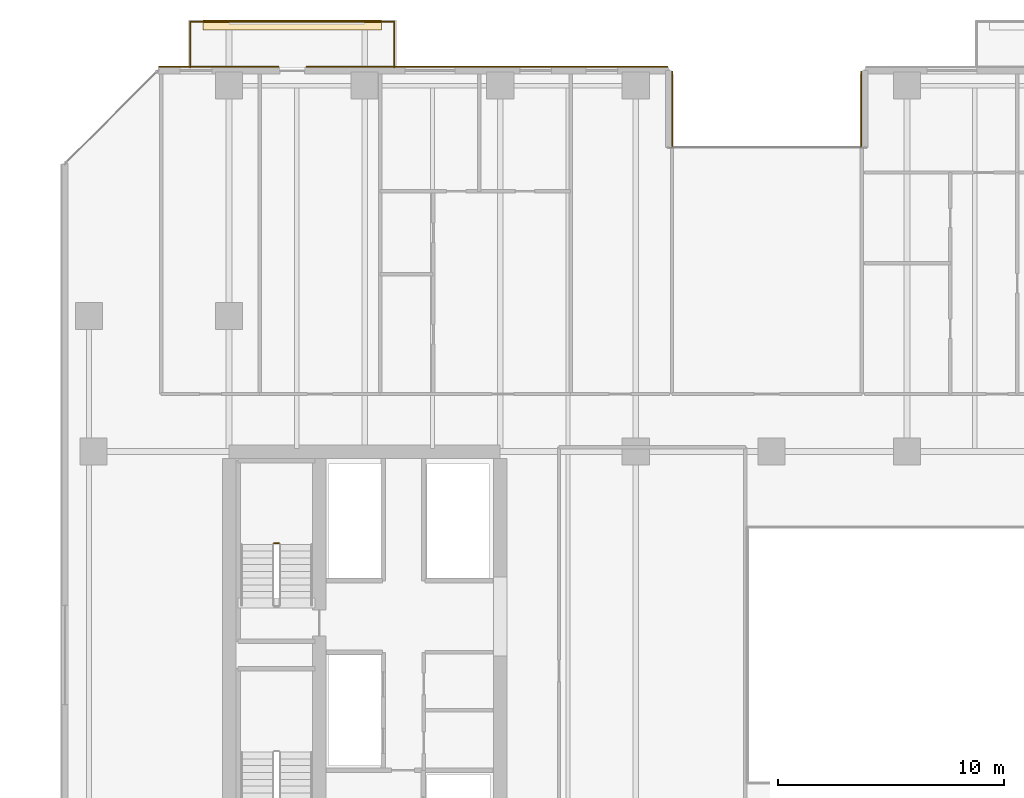
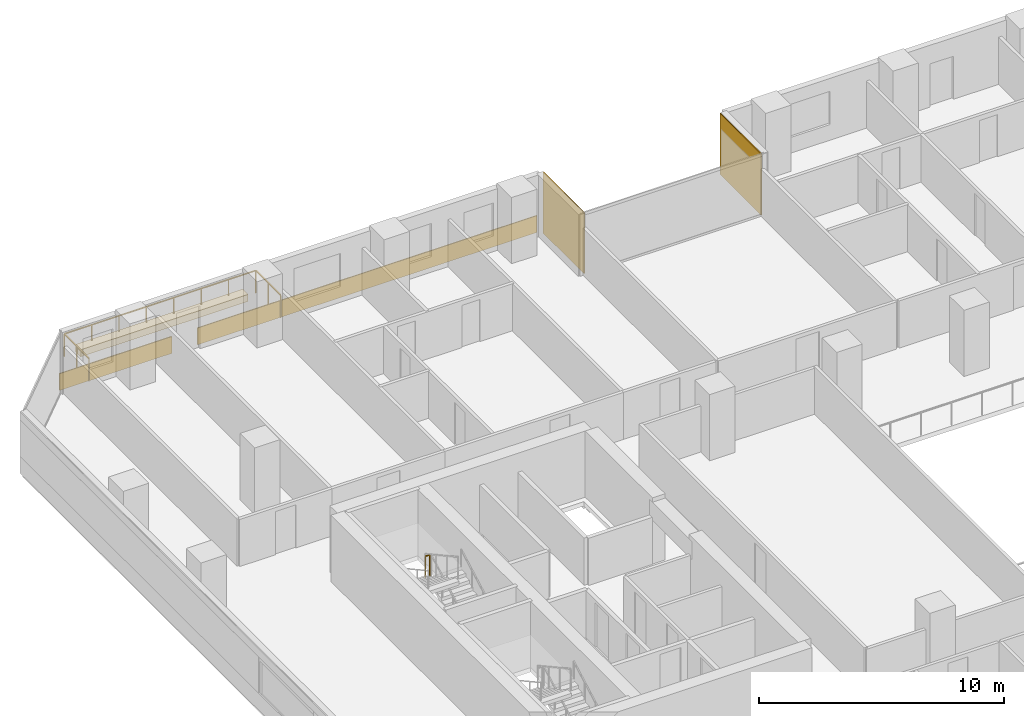
# One storey, part 29 of 33: 5 coverings, 2 railings.
"""IFC4 building model written with IfcOpenShell, lengths in metres."""

from ifc_helpers import new_model, si_unit, direction, frame, origin, origin_2d, place, context, subcontext, project, spatial, polyline, rectangle, outline, extrude, material, layer, layer_set, type_object, element, save


model = new_model("IFC4")

# Units and contexts
model_context = context("Model", 3, precision=1e-05, world=origin(), true_north=direction((0.0, 1.0)))
body_context = subcontext(model_context, "Body", "Model", "MODEL_VIEW")
ifc_project = project(units=[si_unit("LENGTHUNIT", "METRE"), si_unit("AREAUNIT", "SQUARE_METRE"), si_unit("VOLUMEUNIT", "CUBIC_METRE"), si_unit("PLANEANGLEUNIT", "RADIAN"), si_unit("MASSUNIT", "GRAM", prefix="KILO")], contexts=[model_context])

# Site, building, storey
site_placement = place(None, origin())
site = spatial("IfcSite", under=ifc_project, at=site_placement, CompositionType="ELEMENT")
building_placement = place(site_placement, origin())
building = spatial("IfcBuilding", under=site, at=building_placement, Name="Tanjung Sevakor Pilgrim Tower", CompositionType="ELEMENT")
storey_placement = place(building_placement, frame((0.0, 0.0, 32.340087890625)))
storey = spatial("IfcBuildingStorey", under=building, at=storey_placement, Name="L08", CompositionType="ELEMENT", Elevation=32.340087890625)

# Coverings
ifc_material_1 = material(Name="Reconstructed Limestone Cladding", Category="masonry")
ifc_layer_1 = layer(ifc_material_1, 0.044921875)
ifc_layer_set_1 = layer_set([ifc_layer_1], Name="COV-CLAD-LIMESTONE")
covering_type_1 = type_object("IfcCoveringType", Name="COV-CLAD-LIMESTONE", PredefinedType="CLADDING", material=ifc_layer_set_1)
for number, where, z_axis, x_axis, name in (
    (1, (51.9775390625, 57.760009765625, 0.019775390625), (0.0, 0.0, 1.0), (0.0, -1.0, 0.0), "L08 Warm Limestone Wall Cladding EW-L08-MAIN-10"),
    (2, (43.62255859375, 57.760009765625, 0.019775390625), (0.0, 0.0, 1.0), (0.0, 1.0, 0.0), "L08 Warm Limestone Wall Cladding EW-L08-MAIN-12"),
):
    element("IfcCovering", number, at=place(storey_placement, frame(where, z_axis=z_axis, x_axis=x_axis)), inside=storey, type_object=covering_type_1, Name=name, PredefinedType="CLADDING", context=body_context, shape_type="SweptSolid", body=[
        extrude(rectangle(XDim=3.360107421875, YDim=0.044921875, at=origin_2d()), origin(), (0.0, 0.0, 1.0), 3.0400390625),
    ])
covering_1_placement = place(storey_placement, frame((35.4150390625, 59.62255859375, 0.009765625), z_axis=(0.0, 0.0, 1.0), x_axis=(-1.0, 0.0, 0.0)))
element("IfcCovering", 3, at=covering_1_placement, inside=storey, type_object=covering_type_1, Name="L08 Warm Limestone Sill Spandrel EW-L08-MAIN-13-1", PredefinedType="CLADDING", context=body_context, shape_type="SweptSolid", body=[
    extrude(rectangle(XDim=16.010009765625, YDim=0.044921875, at=origin_2d()), origin(), (0.0, 0.0, 1.0), 0.840087890625),
])
covering_2_placement = place(storey_placement, frame((23.5439453125, 59.62255859375, 0.009765625), z_axis=(0.0, 0.0, 1.0), x_axis=(-1.0, 0.0, 0.0)))
element("IfcCovering", 4, at=covering_2_placement, inside=storey, type_object=covering_type_1, Name="L08 Warm Limestone Sill Spandrel EW-L08-MAIN-13-2", PredefinedType="CLADDING", context=body_context, shape_type="SweptSolid", body=[
    extrude(rectangle(XDim=5.2919921875, YDim=0.044921875, at=origin_2d()), origin(), (0.0, 0.0, 1.0), 0.840087890625),
])
ifc_material_2 = material(Name="Vegetated Modular Planter Assembly", Category="organic")
ifc_layer_2 = layer(ifc_material_2, 0.35009765625)
ifc_layer_set_2 = layer_set([ifc_layer_2], Name="COV-GRN-TROUGH")
covering_type_2 = type_object("IfcCoveringType", Name="COV-GRN-TROUGH", PredefinedType="CLADDING", material=ifc_layer_set_2)
covering_3_placement = place(storey_placement, origin())
element("IfcCovering", 5, at=covering_3_placement, inside=storey, type_object=covering_type_2, Name="L08 Planted Landscape Hedge Trough BGRN-L08-MAIN-N1", PredefinedType="CLADDING", context=body_context, shape_type="SweptSolid", body=[
    extrude(outline(polyline([(22.85009765625, 61.260009765625), (30.75, 61.260009765625), (30.75, 61.699951171875), (22.85009765625, 61.699951171875), (22.85009765625, 61.260009765625)])), origin(), (0.0, 0.0, 1.0), 0.349853515625),
])

# Railings
ifc_material_3 = material(Name="Laminated Glass and Aluminium", Category="aluminium")
railing_type_1 = type_object("IfcRailingType", Name="RL-BAL-BALUST", PredefinedType="BALUSTRADE", material=ifc_material_3)
railing_1_placement = place(storey_placement, frame((22.280029296875, 59.60009765625, 0.0)))
element("IfcRailing", 6, at=railing_1_placement, inside=storey, type_object=railing_type_1, Name="L08 Loggia Balustrade MAIN-N1", PredefinedType="BALUSTRADE", context=body_context, shape_type="SweptSolid", body=[
    extrude(rectangle(XDim=0.0479, YDim=0.0479), frame((0.0, 0.0, 1.1259765625), z_axis=(0.0, 1.0, 0.0), x_axis=(-1.0, 0.0, 0.0)), (0.0, 0.0, 1.0), 2.02001953125),
    extrude(rectangle(XDim=0.0479, YDim=0.0479), frame((0.0, 2.02001953125, 1.1259765625), z_axis=(1.0, 0.0, 0.0), x_axis=(0.0, 1.0, 0.0)), (0.0, 0.0, 1.0), 9.0400390625),
    extrude(rectangle(XDim=0.0479, YDim=0.0479), frame((9.0400390625, 2.02001953125, 1.1259765625), z_axis=(0.0, -1.0, 0.0), x_axis=(1.0, 0.0, 0.0)), (0.0, 0.0, 1.0), 2.02001953125),
    extrude(rectangle(XDim=0.042, YDim=0.042), origin(), (0.0, 0.0, 1.0), 1.101806640625),
    extrude(rectangle(XDim=0.042, YDim=0.042), frame((0.0, 1.010009765625, 0.0)), (0.0, 0.0, 1.0), 1.101806640625),
    extrude(rectangle(XDim=0.042, YDim=0.042), frame((0.0, 2.02001953125, 0.0)), (0.0, 0.0, 1.0), 1.101806640625),
    extrude(rectangle(XDim=0.042, YDim=0.042), frame((1.29150390625, 2.02001953125, 0.0)), (0.0, 0.0, 1.0), 1.101806640625),
    extrude(rectangle(XDim=0.042, YDim=0.042), frame((2.582763671875, 2.02001953125, 0.0)), (0.0, 0.0, 1.0), 1.101806640625),
    extrude(rectangle(XDim=0.042, YDim=0.042), frame((3.874267578125, 2.02001953125, 0.0)), (0.0, 0.0, 1.0), 1.101806640625),
    extrude(rectangle(XDim=0.042, YDim=0.042), frame((5.165771484375, 2.02001953125, 0.0)), (0.0, 0.0, 1.0), 1.101806640625),
    extrude(rectangle(XDim=0.042, YDim=0.042), frame((6.457275390625, 2.02001953125, 0.0)), (0.0, 0.0, 1.0), 1.101806640625),
    extrude(rectangle(XDim=0.042, YDim=0.042), frame((7.74853515625, 2.02001953125, 0.0)), (0.0, 0.0, 1.0), 1.101806640625),
    extrude(rectangle(XDim=0.042, YDim=0.042), frame((9.0400390625, 2.02001953125, 0.0)), (0.0, 0.0, 1.0), 1.101806640625),
    extrude(rectangle(XDim=0.042, YDim=0.042), frame((9.0400390625, 1.010009765625, 0.0)), (0.0, 0.0, 1.0), 1.101806640625),
    extrude(rectangle(XDim=0.042, YDim=0.042), frame((9.0400390625, 0.0, 0.0)), (0.0, 0.0, 1.0), 1.101806640625),
])
ifc_material_4 = material(Name="Steel S355J2", Category="steel")
railing_type_2 = type_object("IfcRailingType", Name="RL-STAIR-GUARD", PredefinedType="GUARDRAIL", material=ifc_material_4)
railing_2_placement = place(storey_placement, frame((26.199951171875, 38.550048828125, 1.64990234375)))
element("IfcRailing", 7, at=railing_2_placement, inside=storey, type_object=railing_type_2, Name="L08 TS-W2 stair guard 2", PredefinedType="GUARDRAIL", context=body_context, shape_type="SweptSolid", body=[
    extrude(rectangle(XDim=0.0479, YDim=0.0479), frame((0.0, 0.0, 1.076171875), z_axis=(-1.0, 0.0, 0.0), x_axis=(0.0, -1.0, 0.0)), (0.0, 0.0, 1.0), 0.199951171875),
    extrude(rectangle(XDim=0.042, YDim=0.042), origin(), (0.0, 0.0, 1.0), 1.052001953125),
    extrude(rectangle(XDim=0.042, YDim=0.042), frame((-0.199951171875, 0.0, 0.0)), (0.0, 0.0, 1.0), 1.052001953125),
])

save(model, "model.ifc")
